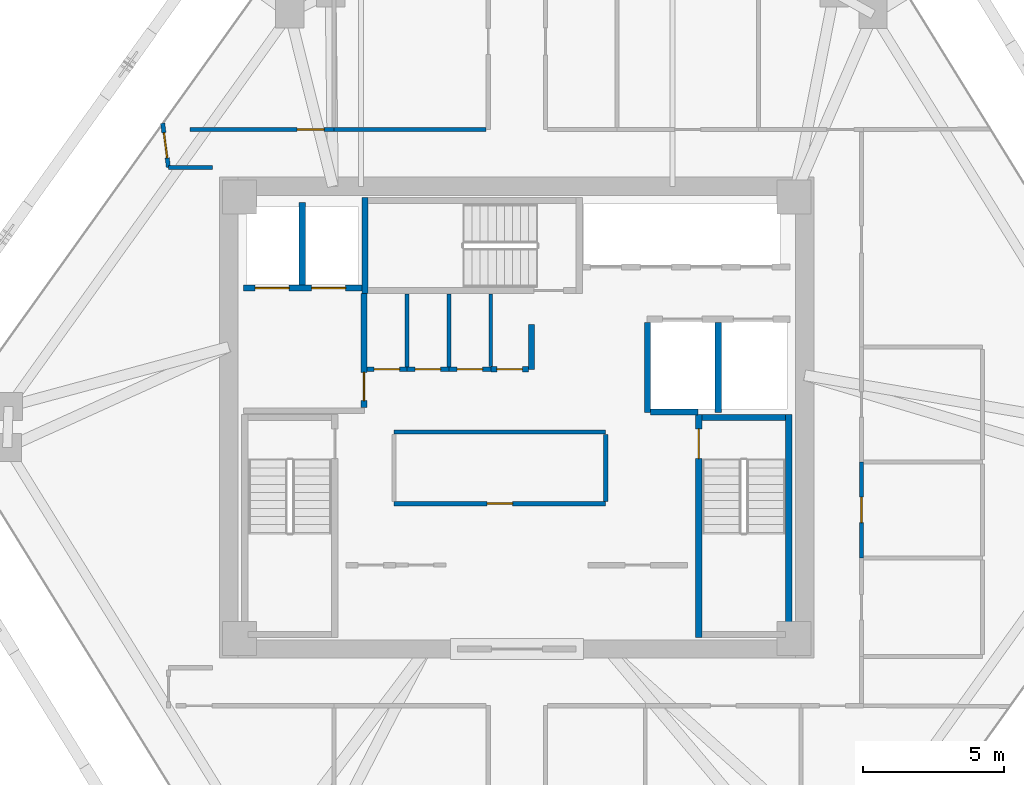
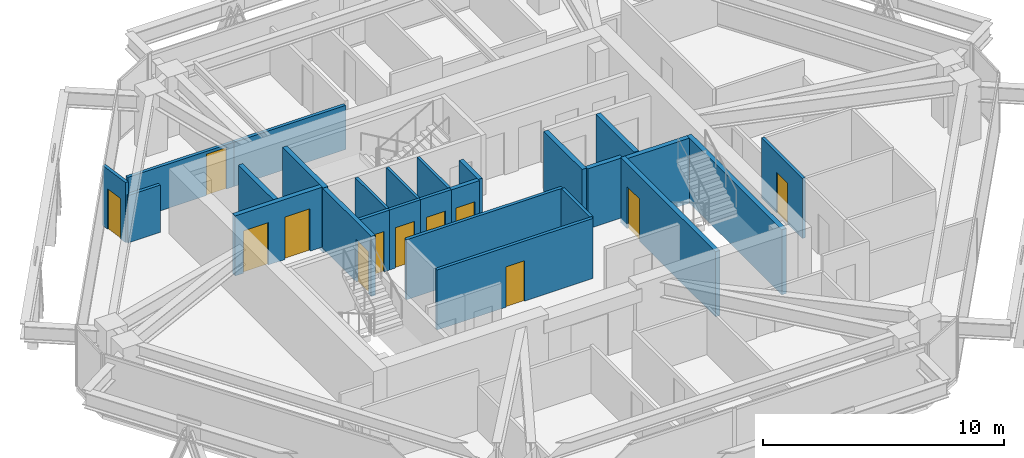
# One storey, part 11 of 14: 26 walls, 12 doors, 12 openings.
"""IFC4 building model written with IfcOpenShell, lengths in metres."""

from ifc_helpers import new_model, si_unit, direction, frame, frame_2d, origin, place, context, subcontext, project, spatial, rectangle, extrude, source, transform, mapped, material, layer, layer_set, type_object, type_shapes, element, fill, save


model = new_model("IFC4")

# Units and contexts
model_context = context("Model", 3, precision=1e-05, world=origin(), true_north=direction((0.0, 1.0)))
body_context = subcontext(model_context, "Body", "Model", "MODEL_VIEW")
ifc_project = project(units=[si_unit("LENGTHUNIT", "METRE"), si_unit("AREAUNIT", "SQUARE_METRE"), si_unit("VOLUMEUNIT", "CUBIC_METRE"), si_unit("PLANEANGLEUNIT", "RADIAN"), si_unit("MASSUNIT", "GRAM", prefix="KILO")], contexts=[model_context])

# Site, building, storey
site_placement = place(None, origin())
site = spatial("IfcSite", under=ifc_project, at=site_placement, CompositionType="ELEMENT")
building_placement = place(site_placement, origin())
building = spatial("IfcBuilding", under=site, at=building_placement, Name="Durnholm Broadcast Tower", CompositionType="ELEMENT")
storey_placement = place(building_placement, frame((0.0, 0.0, 180.39990234375)))
storey = spatial("IfcBuildingStorey", under=building, at=storey_placement, Name="L49", CompositionType="ELEMENT", Elevation=180.39990234375)

# Wall, opening, door
ifc_material_1 = material(Name="Fire-Rated Gypsum Shaftwall", Category="concrete")
ifc_layer_1 = layer(ifc_material_1, 0.199951171875)
ifc_layer_set_1 = layer_set([ifc_layer_1], Name="Fire-Rated Gypsum Shaftwall")
wall_type_1 = type_object("IfcWallType", Name="WALL-LOB-200", PredefinedType="SOLIDWALL", material=ifc_layer_set_1)
wall_1_placement = place(storey_placement, frame((-5.39990234375, 0.35400390625, 0.0), z_axis=(0.0, 0.0, 1.0), x_axis=(0.0, 1.0, 0.0)))
wall_1 = element("IfcWall", 1, at=wall_1_placement, inside=storey, type_object=wall_type_1, Name="L49 Fire Service Access Elevator lobby east fire wall", PredefinedType="SOLIDWALL", context=body_context, shape_type="SweptSolid", body=[
    extrude(rectangle(XDim=4.02587890625, YDim=0.199951171875, at=frame_2d((2.012939453125, 0.0))), origin(), (0.0, 0.0, 1.0), 3.045166015625),
])
opening_1_placement = place(wall_1_placement, frame((0.24609375, 0.0, 0.0)))
opening_1 = element("IfcOpeningElement", 2, at=opening_1_placement, cuts=wall_1, Name="Opening DL-60R", PredefinedType="OPENING", context=body_context, shape_type="SweptSolid", body=[
    extrude(rectangle(XDim=1.0, YDim=2.14990234375, at=frame_2d((0.5, 1.074951171875))), frame((0.0, 0.10986328125, 0.0), z_axis=(0.0, -1.0, 0.0), x_axis=(1.0, 0.0, 0.0)), (0.0, 0.0, 1.0), 0.219970703125),
])
ifc_material_2 = material(Name="Fire-Rated Timber/Steel Door", Category="steel")
ifc_layer_2 = layer(ifc_material_2, 0.050048828125)
ifc_layer_set_2 = layer_set([ifc_layer_2], Name="Fire-Rated Timber/Steel Door")
door_type_1 = type_object("IfcDoorType", Name="DOOR-LOB-FD60-R", OperationType="NOTDEFINED", PredefinedType="DOOR", material=ifc_layer_set_2)
shared_shape_1 = source(origin(), body_context, "Body", "SweptSolid", [
    extrude(rectangle(XDim=1.0, YDim=2.14990234375, at=frame_2d((0.5, 1.074951171875))), frame((0.0, 0.02490234375, 0.0), z_axis=(0.0, -1.0, 0.0), x_axis=(1.0, 0.0, 0.0)), (0.0, 0.0, 1.0), 0.050048828125),
])
type_shapes(door_type_1, [shared_shape_1])
door_1_placement = place(opening_1_placement, origin())
door_1 = element("IfcDoor", 3, at=door_1_placement, inside=storey, type_object=door_type_1, Name="L49 Fire Service Access Elevator lobby smoke door", OperationType="SINGLE_SWING_RIGHT", OverallHeight=2.14990234375, OverallWidth=1.0, PredefinedType="DOOR", context=body_context, shape_type="MappedRepresentation", body=[
    mapped(shared_shape_1, transform((0.0, 0.0, 0.0), x_axis=(1.0, 0.0, 0.0), y_axis=(0.0, 1.0, 0.0), z_axis=(0.0, 0.0, 1.0), scale=1.0)),
])
fill(opening_1, door_1)

# Wall
wall_2_placement = place(storey_placement, frame((0.52001953125, 3.300048828125, 0.0), z_axis=(0.0, 0.0, 1.0), x_axis=(0.0, -1.0, 0.0)))
element("IfcWall", 4, at=wall_2_placement, inside=storey, type_object=wall_type_1, Name="L49 Core Signal Sync Room corridor partition", PredefinedType="SOLIDWALL", context=body_context, shape_type="SweptSolid", body=[
    extrude(rectangle(XDim=1.590087890625, YDim=0.199951171875, at=frame_2d((0.794921875, 0.0))), origin(), (0.0, 0.0, 1.0), 3.045166015625),
])

# Wall, opening, door
wall_3_placement = place(storey_placement, frame((0.416015625, 1.7099609375, 0.0), z_axis=(0.0, 0.0, 1.0), x_axis=(-1.0, 0.0, 0.0)))
wall_3 = element("IfcWall", 5, at=wall_3_placement, inside=storey, type_object=wall_type_1, Name="L49 Core Signal Sync Room corridor partition", PredefinedType="SOLIDWALL", context=body_context, shape_type="SweptSolid", body=[
    extrude(rectangle(XDim=1.3359375, YDim=0.199951171875, at=frame_2d((0.66796875, 0.0))), origin(), (0.0, 0.0, 1.0), 3.045166015625),
])
opening_2_placement = place(wall_3_placement, frame((0.218017578125, 0.0, 0.0)))
opening_2 = element("IfcOpeningElement", 6, at=opening_2_placement, cuts=wall_3, Name="Opening DC-60L", PredefinedType="OPENING", context=body_context, shape_type="SweptSolid", body=[
    extrude(rectangle(XDim=0.89990234375, YDim=2.050048828125, at=frame_2d((0.449951171875, 1.02490234375))), frame((0.0, 0.10986328125, 0.0), z_axis=(0.0, -1.0, 0.0), x_axis=(1.0, 0.0, 0.0)), (0.0, 0.0, 1.0), 0.219970703125),
])
ifc_material_3 = material(Name="Fire-Rated Core Service Door", Category="steel")
ifc_layer_3 = layer(ifc_material_3, 0.050048828125)
ifc_layer_set_3 = layer_set([ifc_layer_3], Name="Fire-Rated Core Service Door")
door_type_2 = type_object("IfcDoorType", Name="DOOR-CORE-FD60-L", OperationType="NOTDEFINED", PredefinedType="DOOR", material=ifc_layer_set_3)
shared_shape_2 = source(origin(), body_context, "Body", "SweptSolid", [
    extrude(rectangle(XDim=0.89990234375, YDim=2.050048828125, at=frame_2d((0.449951171875, 1.02490234375))), frame((0.0, 0.02490234375, 0.0), z_axis=(0.0, -1.0, 0.0), x_axis=(1.0, 0.0, 0.0)), (0.0, 0.0, 1.0), 0.050048828125),
])
type_shapes(door_type_2, [shared_shape_2])
door_2_placement = place(opening_2_placement, origin())
door_2 = element("IfcDoor", 7, at=door_2_placement, inside=storey, type_object=door_type_2, Name="L49 Core Signal Sync Room entrance door", OperationType="SINGLE_SWING_LEFT", OverallHeight=2.050048828125, OverallWidth=0.89990234375, PredefinedType="DOOR", context=body_context, shape_type="MappedRepresentation", body=[
    mapped(shared_shape_2, transform((0.0, 0.0, 0.0), x_axis=(1.0, 0.0, 0.0), y_axis=(0.0, 1.0, 0.0), z_axis=(0.0, 0.0, 1.0), scale=1.0)),
])
fill(opening_2, door_2)

# Walls
ifc_material_4 = material(Name="Gypsum Metal Stud Partition", Category="concrete")
ifc_layer_4 = layer(ifc_material_4, 0.135009765625)
ifc_layer_set_4 = layer_set([ifc_layer_4], Name="Gypsum Metal Stud Partition")
wall_type_2 = type_object("IfcWallType", Name="WALL-PART-135", PredefinedType="PARTITIONING", material=ifc_layer_set_4)
for number, where, z_axis, x_axis, name in (
    (8, (-3.8798828125, 4.375, 0.0), (0.0, 0.0, 1.0), (0.0, -1.0, 0.0), "L49 room dividing partition 5.6"),
    (9, (-2.39990234375, 4.375, 0.0), (0.0, 0.0, 1.0), (0.0, -1.0, 0.0), "L49 room dividing partition 6.7"),
):
    element("IfcWall", number, at=place(storey_placement, frame(where, z_axis=z_axis, x_axis=x_axis)), inside=storey, type_object=wall_type_2, Name=name, PredefinedType="PARTITIONING", context=body_context, shape_type="SweptSolid", body=[
        extrude(rectangle(XDim=2.5859375, YDim=0.135009765625, at=frame_2d((1.29296875, 0.0))), origin(), (0.0, 0.0, 1.0), 3.045166015625),
    ])
wall_4_placement = place(storey_placement, frame((-0.919921875, 4.375, 0.0), z_axis=(0.0, 0.0, 1.0), x_axis=(0.0, -1.0, 0.0)))
element("IfcWall", 10, at=wall_4_placement, inside=storey, type_object=wall_type_2, Name="L49 room dividing partition 7.8", PredefinedType="PARTITIONING", context=body_context, shape_type="SweptSolid", body=[
    extrude(rectangle(XDim=2.56103515625, YDim=0.135009765625, at=frame_2d((1.280517578125, 0.0))), origin(), (0.0, 0.0, 1.0), 3.045166015625),
])

# Wall, opening, door
ifc_material_5 = material(Name="Acoustic Gypsum Stud Partition", Category="concrete")
ifc_layer_5 = layer(ifc_material_5, 0.14990234375)
ifc_layer_set_5 = layer_set([ifc_layer_5], Name="Acoustic Gypsum Stud Partition")
wall_type_3 = type_object("IfcWallType", Name="WALL-PART-150", PredefinedType="PARTITIONING", material=ifc_layer_set_5)
wall_5_placement = place(storey_placement, frame((3.139892578125, -3.0400390625, 0.0), z_axis=(0.0, 0.0, 1.0), x_axis=(-1.0, 0.0, 0.0)))
wall_5 = element("IfcWall", 11, at=wall_5_placement, inside=storey, type_object=wall_type_3, Name="L49 Broadcast Equipment Pantry corridor partition", PredefinedType="PARTITIONING", context=body_context, shape_type="SweptSolid", body=[
    extrude(rectangle(XDim=7.47998046875, YDim=0.14990234375, at=frame_2d((3.739990234375, 0.0))), origin(), (0.0, 0.0, 1.0), 3.045166015625),
])
opening_3_placement = place(wall_5_placement, frame((3.2900390625, 0.0, 0.0)))
opening_3 = element("IfcOpeningElement", 12, at=opening_3_placement, cuts=wall_5, Name="Opening DC-60L", PredefinedType="OPENING", context=body_context, shape_type="SweptSolid", body=[
    extrude(rectangle(XDim=0.89990234375, YDim=2.050048828125, at=frame_2d((0.449951171875, 1.02490234375))), frame((0.0, 0.0849609375, 0.0), z_axis=(0.0, -1.0, 0.0), x_axis=(1.0, 0.0, 0.0)), (0.0, 0.0, 1.0), 0.169921875),
])
door_3_placement = place(opening_3_placement, origin())
door_3 = element("IfcDoor", 13, at=door_3_placement, inside=storey, type_object=door_type_2, Name="L49 Broadcast Equipment Pantry entrance door", OperationType="SINGLE_SWING_LEFT", OverallHeight=2.050048828125, OverallWidth=0.89990234375, PredefinedType="DOOR", context=body_context, shape_type="MappedRepresentation", body=[
    mapped(shared_shape_2, transform((0.0, 0.0, 0.0), x_axis=(1.0, 0.0, 0.0), y_axis=(0.0, 1.0, 0.0), z_axis=(0.0, 0.0, 1.0), scale=1.0)),
])
fill(opening_3, door_3)

# Walls
wall_6_placement = place(storey_placement, frame((-4.340087890625, -0.510009765625, 0.0), z_axis=(0.0, 0.0, 1.0), x_axis=(1.0, 0.0, 0.0)))
element("IfcWall", 14, at=wall_6_placement, inside=storey, type_object=wall_type_3, Name="L49 Broadcast Equipment Pantry corridor partition", PredefinedType="PARTITIONING", context=body_context, shape_type="SweptSolid", body=[
    extrude(rectangle(XDim=7.47998046875, YDim=0.14990234375, at=frame_2d((3.739990234375, 0.0))), origin(), (0.0, 0.0, 1.0), 3.045166015625),
])
wall_7_placement = place(storey_placement, frame((3.139892578125, -0.589111328125, 0.0), z_axis=(0.0, 0.0, 1.0), x_axis=(0.0, -1.0, 0.0)))
element("IfcWall", 15, at=wall_7_placement, inside=storey, type_object=wall_type_3, Name="L49 Broadcast Equipment Pantry corridor partition", PredefinedType="PARTITIONING", context=body_context, shape_type="SweptSolid", body=[
    extrude(rectangle(XDim=2.371826171875, YDim=0.14990234375, at=frame_2d((1.18603515625, 0.0))), origin(), (0.0, 0.0, 1.0), 3.045166015625),
])

# Wall, opening, door
wall_8_placement = place(storey_placement, frame((-3.8798828125, 1.7099609375, 0.0), z_axis=(0.0, 0.0, 1.0), x_axis=(-1.0, 0.0, 0.0)))
wall_8 = element("IfcWall", 16, at=wall_8_placement, inside=storey, type_object=wall_type_3, Name="L49 Core First Aid Store corridor partition", PredefinedType="PARTITIONING", context=body_context, shape_type="SweptSolid", body=[
    extrude(rectangle(XDim=1.416015625, YDim=0.14990234375, at=frame_2d((0.7080078125, 0.0))), origin(), (0.0, 0.0, 1.0), 3.045166015625),
])
opening_4_placement = place(wall_8_placement, frame((0.258056640625, 0.0, 0.0)))
opening_4 = element("IfcOpeningElement", 17, at=opening_4_placement, cuts=wall_8, Name="Opening DC-60R", PredefinedType="OPENING", context=body_context, shape_type="SweptSolid", body=[
    extrude(rectangle(XDim=0.89990234375, YDim=2.050048828125, at=frame_2d((0.449951171875, 1.02490234375))), frame((0.0, 0.0849609375, 0.0), z_axis=(0.0, -1.0, 0.0), x_axis=(1.0, 0.0, 0.0)), (0.0, 0.0, 1.0), 0.169921875),
])
ifc_layer_6 = layer(ifc_material_3, 0.050048828125)
ifc_layer_set_6 = layer_set([ifc_layer_6], Name="Fire-Rated Core Service Door")
door_type_3 = type_object("IfcDoorType", Name="DOOR-CORE-FD60-R", OperationType="NOTDEFINED", PredefinedType="DOOR", material=ifc_layer_set_6)
shared_shape_3 = source(origin(), body_context, "Body", "SweptSolid", [
    extrude(rectangle(XDim=0.89990234375, YDim=2.050048828125, at=frame_2d((0.449951171875, 1.02490234375))), frame((0.0, 0.02490234375, 0.0), z_axis=(0.0, -1.0, 0.0), x_axis=(1.0, 0.0, 0.0)), (0.0, 0.0, 1.0), 0.050048828125),
])
type_shapes(door_type_3, [shared_shape_3])
door_4_placement = place(opening_4_placement, origin())
door_4 = element("IfcDoor", 18, at=door_4_placement, inside=storey, type_object=door_type_3, Name="L49 Core First Aid Store entrance door", OperationType="SINGLE_SWING_RIGHT", OverallHeight=2.050048828125, OverallWidth=0.89990234375, PredefinedType="DOOR", context=body_context, shape_type="MappedRepresentation", body=[
    mapped(shared_shape_3, transform((0.0, 0.0, 0.0), x_axis=(1.0, 0.0, 0.0), y_axis=(0.0, 1.0, 0.0), z_axis=(0.0, 0.0, 1.0), scale=1.0)),
])
fill(opening_4, door_4)

wall_9_placement = place(storey_placement, frame((-2.39990234375, 1.7099609375, 0.0), z_axis=(0.0, 0.0, 1.0), x_axis=(-1.0, 0.0, 0.0)))
wall_9 = element("IfcWall", 19, at=wall_9_placement, inside=storey, type_object=wall_type_3, Name="L49 Core Linen Supply Closet corridor partition", PredefinedType="PARTITIONING", context=body_context, shape_type="SweptSolid", body=[
    extrude(rectangle(XDim=1.47998046875, YDim=0.14990234375, at=frame_2d((0.739990234375, 0.0))), origin(), (0.0, 0.0, 1.0), 3.045166015625),
])
opening_5_placement = place(wall_9_placement, frame((0.2900390625, 0.0, 0.0)))
opening_5 = element("IfcOpeningElement", 20, at=opening_5_placement, cuts=wall_9, Name="Opening DC-60L", PredefinedType="OPENING", context=body_context, shape_type="SweptSolid", body=[
    extrude(rectangle(XDim=0.89990234375, YDim=2.050048828125, at=frame_2d((0.449951171875, 1.02490234375))), frame((0.0, 0.0849609375, 0.0), z_axis=(0.0, -1.0, 0.0), x_axis=(1.0, 0.0, 0.0)), (0.0, 0.0, 1.0), 0.169921875),
])
door_5_placement = place(opening_5_placement, origin())
door_5 = element("IfcDoor", 21, at=door_5_placement, inside=storey, type_object=door_type_2, Name="L49 Core Linen Supply Closet entrance door", OperationType="SINGLE_SWING_LEFT", OverallHeight=2.050048828125, OverallWidth=0.89990234375, PredefinedType="DOOR", context=body_context, shape_type="MappedRepresentation", body=[
    mapped(shared_shape_2, transform((0.0, 0.0, 0.0), x_axis=(1.0, 0.0, 0.0), y_axis=(0.0, 1.0, 0.0), z_axis=(0.0, 0.0, 1.0), scale=1.0)),
])
fill(opening_5, door_5)

wall_10_placement = place(storey_placement, frame((-0.919921875, 1.7099609375, 0.0), z_axis=(0.0, 0.0, 1.0), x_axis=(-1.0, 0.0, 0.0)))
wall_10 = element("IfcWall", 22, at=wall_10_placement, inside=storey, type_object=wall_type_3, Name="L49 Core Safety Gear Store corridor partition", PredefinedType="PARTITIONING", context=body_context, shape_type="SweptSolid", body=[
    extrude(rectangle(XDim=1.47998046875, YDim=0.14990234375, at=frame_2d((0.739990234375, 0.0))), origin(), (0.0, 0.0, 1.0), 3.045166015625),
])
opening_6_placement = place(wall_10_placement, frame((0.2900390625, 0.0, 0.0)))
opening_6 = element("IfcOpeningElement", 23, at=opening_6_placement, cuts=wall_10, Name="Opening DC-60R", PredefinedType="OPENING", context=body_context, shape_type="SweptSolid", body=[
    extrude(rectangle(XDim=0.89990234375, YDim=2.050048828125, at=frame_2d((0.449951171875, 1.02490234375))), frame((0.0, 0.0849609375, 0.0), z_axis=(0.0, -1.0, 0.0), x_axis=(1.0, 0.0, 0.0)), (0.0, 0.0, 1.0), 0.169921875),
])
door_6_placement = place(opening_6_placement, origin())
door_6 = element("IfcDoor", 24, at=door_6_placement, inside=storey, type_object=door_type_3, Name="L49 Core Safety Gear Store entrance door", OperationType="SINGLE_SWING_RIGHT", OverallHeight=2.050048828125, OverallWidth=0.89990234375, PredefinedType="DOOR", context=body_context, shape_type="MappedRepresentation", body=[
    mapped(shared_shape_3, transform((0.0, 0.0, 0.0), x_axis=(1.0, 0.0, 0.0), y_axis=(0.0, 1.0, 0.0), z_axis=(0.0, 0.0, 1.0), scale=1.0)),
])
fill(opening_6, door_6)

wall_11_placement = place(storey_placement, frame((-6.4599609375, 10.179931640625, 0.0), z_axis=(0.0, 0.0, 1.0), x_axis=(-1.0, 0.0, 0.0)))
wall_11 = element("IfcWall", 25, at=wall_11_placement, inside=storey, type_object=wall_type_3, Name="L49 Documentary Office 1 corridor partition", PredefinedType="PARTITIONING", context=body_context, shape_type="SweptSolid", body=[
    extrude(rectangle(XDim=5.080078125, YDim=0.14990234375, at=frame_2d((2.5400390625, 0.0))), origin(), (0.0, 0.0, 1.0), 2.241943359375),
])
opening_7_placement = place(wall_11_placement, frame((0.35009765625, 0.0, 0.0)))
opening_7 = element("IfcOpeningElement", 26, at=opening_7_placement, cuts=wall_11, Name="Opening DR-95L", PredefinedType="OPENING", context=body_context, shape_type="SweptSolid", body=[
    extrude(rectangle(XDim=0.949951171875, YDim=2.10009765625, at=frame_2d((0.47509765625, 1.050048828125))), frame((0.0, 0.0849609375, 0.0), z_axis=(0.0, -1.0, 0.0), x_axis=(1.0, 0.0, 0.0)), (0.0, 0.0, 1.0), 0.169921875),
])
ifc_material_6 = material(Name="Acoustic Oak Veneer Timber Door", Category="wood")
ifc_layer_7 = layer(ifc_material_6, 0.050048828125)
ifc_layer_set_7 = layer_set([ifc_layer_7], Name="Acoustic Oak Veneer Timber Door")
door_type_4 = type_object("IfcDoorType", Name="DOOR-RM-950L", OperationType="NOTDEFINED", PredefinedType="DOOR", material=ifc_layer_set_7)
shared_shape_4 = source(origin(), body_context, "Body", "SweptSolid", [
    extrude(rectangle(XDim=0.949951171875, YDim=2.10009765625, at=frame_2d((0.47509765625, 1.050048828125))), frame((0.0, 0.02490234375, 0.0), z_axis=(0.0, -1.0, 0.0), x_axis=(1.0, 0.0, 0.0)), (0.0, 0.0, 1.0), 0.050048828125),
])
type_shapes(door_type_4, [shared_shape_4])
door_7_placement = place(opening_7_placement, origin())
door_7 = element("IfcDoor", 27, at=door_7_placement, inside=storey, type_object=door_type_4, Name="L49 Documentary Office 1 entrance door", OperationType="SINGLE_SWING_LEFT", OverallHeight=2.10009765625, OverallWidth=0.949951171875, PredefinedType="DOOR", context=body_context, shape_type="MappedRepresentation", body=[
    mapped(shared_shape_4, transform((0.0, 0.0, 0.0), x_axis=(1.0, 0.0, 0.0), y_axis=(0.0, 1.0, 0.0), z_axis=(0.0, 0.0, 1.0), scale=1.0)),
])
fill(opening_7, door_7)

# Walls
wall_12_placement = place(storey_placement, frame((-1.089111328125, 10.179931640625, 0.0), z_axis=(0.0, 0.0, 1.0), x_axis=(-1.0, 0.0, 0.0)))
element("IfcWall", 28, at=wall_12_placement, inside=storey, type_object=wall_type_3, Name="L49 Rough-Cut Office 1 corridor partition", PredefinedType="PARTITIONING", context=body_context, shape_type="SweptSolid", body=[
    extrude(rectangle(XDim=5.370849609375, YDim=0.14990234375, at=frame_2d((2.685546875, 0.0))), origin(), (0.0, 0.0, 1.0), 2.241943359375),
])
wall_13_placement = place(storey_placement, frame((-12.31005859375, 8.840087890625, 0.0), z_axis=(0.0, 0.0, 1.0), x_axis=(1.0, 0.0, 0.0)))
element("IfcWall", 29, at=wall_13_placement, inside=storey, type_object=wall_type_3, Name="L49 Rough-Cut Office 2 corridor partition", PredefinedType="PARTITIONING", context=body_context, shape_type="SweptSolid", body=[
    extrude(rectangle(XDim=1.550048828125, YDim=0.14990234375, at=frame_2d((0.77490234375, 0.0))), origin(), (0.0, 0.0, 1.0), 2.39892578125),
])

# Wall, opening, door
wall_14_placement = place(storey_placement, frame((-12.514404296875, 10.40625, 0.0), z_axis=(0.0, 0.0, 1.0), x_axis=(0.129378833178, -0.991595238757, 0.0)))
wall_14 = element("IfcWall", 30, at=wall_14_placement, inside=storey, type_object=wall_type_3, Name="L49 Rough-Cut Office 2 corridor partition", PredefinedType="PARTITIONING", context=body_context, shape_type="SweptSolid", body=[
    extrude(rectangle(XDim=1.579345703125, YDim=0.14990234375, at=frame_2d((0.78955078125, 0.0))), origin(), (0.0, 0.0, 1.0), 3.045166015625),
])
opening_8_placement = place(wall_14_placement, frame((0.33984375, 0.0, 0.0)))
opening_8 = element("IfcOpeningElement", 31, at=opening_8_placement, cuts=wall_14, Name="Opening DW-90L", PredefinedType="OPENING", context=body_context, shape_type="SweptSolid", body=[
    extrude(rectangle(XDim=0.89990234375, YDim=2.050048828125, at=frame_2d((0.449951171875, 1.02490234375))), frame((0.0, 0.0849609375, 0.0), z_axis=(0.0, -1.0, 0.0), x_axis=(1.0, 0.0, 0.0)), (0.0, 0.0, 1.0), 0.169921875),
])
ifc_material_7 = material(Name="Laminate Restroom Door", Category="steel")
ifc_layer_8 = layer(ifc_material_7, 0.050048828125)
ifc_layer_set_8 = layer_set([ifc_layer_8], Name="Laminate Restroom Door")
door_type_5 = type_object("IfcDoorType", Name="DOOR-WC-900L", OperationType="NOTDEFINED", PredefinedType="DOOR", material=ifc_layer_set_8)
shared_shape_5 = source(origin(), body_context, "Body", "SweptSolid", [
    extrude(rectangle(XDim=0.89990234375, YDim=2.050048828125, at=frame_2d((0.449951171875, 1.02490234375))), frame((0.0, 0.02490234375, 0.0), z_axis=(0.0, -1.0, 0.0), x_axis=(1.0, 0.0, 0.0)), (0.0, 0.0, 1.0), 0.050048828125),
])
type_shapes(door_type_5, [shared_shape_5])
door_8_placement = place(opening_8_placement, origin())
door_8 = element("IfcDoor", 32, at=door_8_placement, inside=storey, type_object=door_type_5, Name="L49 Rough-Cut Office 2 entrance door", OperationType="SINGLE_SWING_LEFT", OverallHeight=2.050048828125, OverallWidth=0.89990234375, PredefinedType="DOOR", context=body_context, shape_type="MappedRepresentation", body=[
    mapped(shared_shape_5, transform((0.0, 0.0, 0.0), x_axis=(1.0, 0.0, 0.0), y_axis=(0.0, 1.0, 0.0), z_axis=(0.0, 0.0, 1.0), scale=1.0)),
])
fill(opening_8, door_8)

# Wall, openings, doors
ifc_material_8 = material(Name="Concrete Blockwork C30/37", Category="masonry")
ifc_layer_9 = layer(ifc_material_8, 0.219970703125)
ifc_layer_set_9 = layer_set([ifc_layer_9], Name="Concrete Blockwork C30/37")
wall_type_4 = type_object("IfcWallType", Name="WALL-SHAFT-220", PredefinedType="SOLIDWALL", material=ifc_layer_set_9)
wall_15_placement = place(storey_placement, frame((-9.64990234375, 4.580078125, 0.0), z_axis=(0.0, 0.0, 1.0), x_axis=(1.0, 0.0, 0.0)))
wall_15 = element("IfcWall", 33, at=wall_15_placement, inside=storey, type_object=wall_type_4, Name="L49 FSAE hoistway front fire wall", PredefinedType="SOLIDWALL", context=body_context, shape_type="SweptSolid", body=[
    extrude(rectangle(XDim=4.1748046875, YDim=0.219970703125, at=frame_2d((2.08740234375, 0.0))), origin(), (0.0, 0.0, 1.0), 3.045166015625),
])
opening_9_placement = place(wall_15_placement, frame((0.39990234375, 0.0, 0.0)))
opening_9 = element("IfcOpeningElement", 34, at=opening_9_placement, cuts=wall_15, Name="Opening LD-FSAE-2", PredefinedType="OPENING", context=body_context, shape_type="SweptSolid", body=[
    extrude(rectangle(XDim=1.199951171875, YDim=2.14990234375, at=frame_2d((0.60009765625, 1.074951171875))), frame((0.0, 0.1201171875, 0.0), z_axis=(0.0, -1.0, 0.0), x_axis=(1.0, 0.0, 0.0)), (0.0, 0.0, 1.0), 0.239990234375),
])
opening_10_placement = place(wall_15_placement, frame((2.39990234375, 0.0, 0.0)))
opening_10 = element("IfcOpeningElement", 35, at=opening_10_placement, cuts=wall_15, Name="Opening LD-FSAE-1", PredefinedType="OPENING", context=body_context, shape_type="SweptSolid", body=[
    extrude(rectangle(XDim=1.199951171875, YDim=2.14990234375, at=frame_2d((0.60009765625, 1.074951171875))), frame((0.0, 0.1201171875, 0.0), z_axis=(0.0, -1.0, 0.0), x_axis=(1.0, 0.0, 0.0)), (0.0, 0.0, 1.0), 0.239990234375),
])
ifc_material_9 = material(Name="Fire Service Access Sliding Landing Door", Category="steel")
ifc_layer_10 = layer(ifc_material_9, 0.050048828125)
ifc_layer_set_10 = layer_set([ifc_layer_10], Name="Fire Service Access Sliding Landing Door")
door_type_6 = type_object("IfcDoorType", Name="DOOR-LIFT-FSAE", OperationType="DOUBLE_DOOR_SLIDING", PredefinedType="DOOR", material=ifc_layer_set_10)
shared_shape_6 = source(origin(), body_context, "Body", "SweptSolid", [
    extrude(rectangle(XDim=1.199951171875, YDim=2.14990234375, at=frame_2d((0.60009765625, 1.074951171875))), frame((0.0, 0.02490234375, 0.0), z_axis=(0.0, -1.0, 0.0), x_axis=(1.0, 0.0, 0.0)), (0.0, 0.0, 1.0), 0.050048828125),
])
type_shapes(door_type_6, [shared_shape_6])
door_9_placement = place(opening_9_placement, origin())
door_9 = element("IfcDoor", 36, at=door_9_placement, inside=storey, type_object=door_type_6, Name="L49 Fire Service Access Elevator FSAE-2 sliding landing door", OperationType="DOUBLE_DOOR_SLIDING", OverallHeight=2.14990234375, OverallWidth=1.199951171875, PredefinedType="DOOR", context=body_context, shape_type="MappedRepresentation", body=[
    mapped(shared_shape_6, transform((0.0, 0.0, 0.0), x_axis=(1.0, 0.0, 0.0), y_axis=(0.0, 1.0, 0.0), z_axis=(0.0, 0.0, 1.0), scale=1.0)),
])
fill(opening_9, door_9)
door_10_placement = place(opening_10_placement, origin())
door_10 = element("IfcDoor", 37, at=door_10_placement, inside=storey, type_object=door_type_6, Name="L49 Fire Service Access Elevator FSAE-1 sliding landing door", OperationType="DOUBLE_DOOR_SLIDING", OverallHeight=2.14990234375, OverallWidth=1.199951171875, PredefinedType="DOOR", context=body_context, shape_type="MappedRepresentation", body=[
    mapped(shared_shape_6, transform((0.0, 0.0, 0.0), x_axis=(1.0, 0.0, 0.0), y_axis=(0.0, 1.0, 0.0), z_axis=(0.0, 0.0, 1.0), scale=1.0)),
])
fill(opening_10, door_10)

# Walls
wall_16_placement = place(storey_placement, frame((-7.580078125, 4.694091796875, 0.0), z_axis=(0.0, 0.0, 1.0), x_axis=(0.0, 1.0, 0.0)))
element("IfcWall", 38, at=wall_16_placement, inside=storey, type_object=wall_type_4, Name="L49 FSAE shaft divider wall", PredefinedType="SOLIDWALL", context=body_context, shape_type="SweptSolid", body=[
    extrude(rectangle(XDim=2.906005859375, YDim=0.219970703125, at=frame_2d((1.453125, 0.0))), origin(), (0.0, 0.0, 1.0), 3.045166015625),
])
for number, where, z_axis, x_axis, name in (
    (39, (4.6201171875, 0.179931640625, 0.0), (0.0, 0.0, 1.0), (0.0, 1.0, 0.0), "L49 freight service lift SVL-2 west wall"),
    (40, (7.1201171875, 0.179931640625, 0.0), (0.0, 0.0, 1.0), (0.0, 1.0, 0.0), "L49 freight service lifts divider wall"),
):
    element("IfcWall", number, at=place(storey_placement, frame(where, z_axis=z_axis, x_axis=x_axis)), inside=storey, type_object=wall_type_4, Name=name, PredefinedType="SOLIDWALL", context=body_context, shape_type="SweptSolid", body=[
        extrude(rectangle(XDim=3.18603515625, YDim=0.219970703125, at=frame_2d((1.593017578125, 0.0))), origin(), (0.0, 0.0, 1.0), 3.045166015625),
    ])
wall_17_placement = place(storey_placement, frame((4.73388671875, 0.199951171875, 0.0), z_axis=(0.0, 0.0, 1.0), x_axis=(1.0, 0.0, 0.0)))
element("IfcWall", 41, at=wall_17_placement, inside=storey, type_object=wall_type_4, Name="L49 freight service lift SVL-2 south wall", PredefinedType="SOLIDWALL", context=body_context, shape_type="SweptSolid", body=[
    extrude(rectangle(XDim=1.666015625, YDim=0.219970703125, at=frame_2d((0.8330078125, 0.0))), origin(), (0.0, 0.0, 1.0), 3.045166015625),
])
ifc_material_10 = material(Name="Concrete C50/60", Category="concrete")
ifc_layer_11 = layer(ifc_material_10, 0.219970703125)
ifc_layer_set_11 = layer_set([ifc_layer_11], Name="Concrete C50/60")
wall_type_5 = type_object("IfcWallType", Name="WALL-SW-220", PredefinedType="SHEAR", material=ifc_layer_set_11)
wall_18_placement = place(storey_placement, frame((9.610107421875, -7.77001953125, -0.239990234375), z_axis=(0.0, 0.0, 1.0), x_axis=(0.0, 1.0, 0.0)))
element("IfcWall", 42, at=wall_18_placement, inside=storey, type_object=wall_type_5, Name="L49 stair ST-2 structural shaft wall E", PredefinedType="SHEAR", context=body_context, shape_type="SweptSolid", body=[
    extrude(rectangle(XDim=7.89013671875, YDim=0.219970703125, at=frame_2d((3.945068359375, 0.0))), origin(), (0.0, 0.0, 1.0), 3.300048828125),
])

# Wall, opening, door
wall_19_placement = place(storey_placement, frame((6.429931640625, 0.1201171875, -0.239990234375), z_axis=(0.0, 0.0, 1.0), x_axis=(0.0, -1.0, 0.0)))
wall_19 = element("IfcWall", 43, at=wall_19_placement, inside=storey, type_object=wall_type_5, Name="L49 stair ST-2 structural shaft wall W", PredefinedType="SHEAR", context=body_context, shape_type="SweptSolid", body=[
    extrude(rectangle(XDim=7.89013671875, YDim=0.219970703125, at=frame_2d((3.945068359375, 0.0))), origin(), (0.0, 0.0, 1.0), 3.300048828125),
])
opening_11_placement = place(wall_19_placement, frame((0.52001953125, 0.0, 0.0)))
opening_11 = element("IfcOpeningElement", 44, at=opening_11_placement, cuts=wall_19, Name="Opening DS-90R", PredefinedType="OPENING", context=body_context, shape_type="SweptSolid", body=[
    extrude(rectangle(XDim=1.050048828125, YDim=2.14990234375, at=frame_2d((0.52490234375, 1.074951171875))), frame((0.0, 0.1201171875, 0.0), z_axis=(0.0, -1.0, 0.0), x_axis=(1.0, 0.0, 0.0)), (0.0, 0.0, 1.0), 0.239990234375),
])
ifc_material_11 = material(Name="Fire-Rated Steel Door", Category="steel")
ifc_layer_12 = layer(ifc_material_11, 0.050048828125)
ifc_layer_set_12 = layer_set([ifc_layer_12], Name="Fire-Rated Steel Door")
door_type_7 = type_object("IfcDoorType", Name="DOOR-ST-FD90-R", OperationType="NOTDEFINED", PredefinedType="DOOR", material=ifc_layer_set_12)
shared_shape_7 = source(origin(), body_context, "Body", "SweptSolid", [
    extrude(rectangle(XDim=1.050048828125, YDim=2.14990234375, at=frame_2d((0.52490234375, 1.074951171875))), frame((0.0, 0.02490234375, 0.0), z_axis=(0.0, -1.0, 0.0), x_axis=(1.0, 0.0, 0.0)), (0.0, 0.0, 1.0), 0.050048828125),
])
type_shapes(door_type_7, [shared_shape_7])
door_11_placement = place(opening_11_placement, origin())
door_11 = element("IfcDoor", 45, at=door_11_placement, inside=storey, type_object=door_type_7, Name="L49 exit stair ST-2 fire door", OperationType="SINGLE_SWING_RIGHT", OverallHeight=2.14990234375, OverallWidth=1.050048828125, PredefinedType="DOOR", context=body_context, shape_type="MappedRepresentation", body=[
    mapped(shared_shape_7, transform((0.0, 0.0, 0.0), x_axis=(1.0, 0.0, 0.0), y_axis=(0.0, 1.0, 0.0), z_axis=(0.0, 0.0, 1.0), scale=1.0)),
])
fill(opening_11, door_11)

# Walls
wall_20_placement = place(storey_placement, frame((9.5, 0.010009765625, -0.239990234375), z_axis=(0.0, 0.0, 1.0), x_axis=(-1.0, 0.0, 0.0)))
element("IfcWall", 46, at=wall_20_placement, inside=storey, type_object=wall_type_5, Name="L49 stair ST-2 structural shaft wall N", PredefinedType="SHEAR", context=body_context, shape_type="SweptSolid", body=[
    extrude(rectangle(XDim=2.9599609375, YDim=0.219970703125, at=frame_2d((1.47998046875, 0.0))), origin(), (0.0, 0.0, 1.0), 3.300048828125),
])
wall_21_placement = place(storey_placement, frame((-5.360107421875, 7.780029296875, -0.239990234375), z_axis=(0.0, 0.0, 1.0), x_axis=(0.0, -1.0, 0.0)))
element("IfcWall", 47, at=wall_21_placement, inside=storey, type_object=wall_type_5, Name="L49 stair ST-3 structural shaft wall W", PredefinedType="SHEAR", context=body_context, shape_type="SweptSolid", body=[
    extrude(rectangle(XDim=3.400146484375, YDim=0.219970703125, at=frame_2d((1.7001953125, 0.0))), origin(), (0.0, 0.0, 1.0), 3.300048828125),
])

# Wall, opening, door
ifc_material_12 = material(Name="Moisture-Resistant Tile Partition", Category="concrete")
ifc_layer_13 = layer(ifc_material_12, 0.139892578125)
ifc_layer_set_13 = layer_set([ifc_layer_13], Name="Moisture-Resistant Tile Partition")
wall_type_6 = type_object("IfcWallType", Name="WALL-WC-140", PredefinedType="PARTITIONING", material=ifc_layer_set_13)
wall_22_placement = place(storey_placement, frame((12.179931640625, -4.9599609375, 0.0), z_axis=(0.0, 0.0, 1.0), x_axis=(0.0, 1.0, 0.0)))
wall_22 = element("IfcWall", 48, at=wall_22_placement, inside=storey, type_object=wall_type_6, Name="L49 Women's Restroom corridor partition", PredefinedType="PARTITIONING", context=body_context, shape_type="SweptSolid", body=[
    extrude(rectangle(XDim=3.39990234375, YDim=0.139892578125, at=frame_2d((1.699951171875, 0.0))), origin(), (0.0, 0.0, 1.0), 3.045166015625),
])
opening_12_placement = place(wall_22_placement, frame((1.25, 0.0, 0.0)))
opening_12 = element("IfcOpeningElement", 49, at=opening_12_placement, cuts=wall_22, Name="Opening DW-90L", PredefinedType="OPENING", context=body_context, shape_type="SweptSolid", body=[
    extrude(rectangle(XDim=0.89990234375, YDim=2.050048828125, at=frame_2d((0.449951171875, 1.02490234375))), frame((0.0, 0.080078125, 0.0), z_axis=(0.0, -1.0, 0.0), x_axis=(1.0, 0.0, 0.0)), (0.0, 0.0, 1.0), 0.159912109375),
])
door_12_placement = place(opening_12_placement, origin())
door_12 = element("IfcDoor", 50, at=door_12_placement, inside=storey, type_object=door_type_5, Name="L49 Women's Restroom entrance door", OperationType="SINGLE_SWING_LEFT", OverallHeight=2.050048828125, OverallWidth=0.89990234375, PredefinedType="DOOR", context=body_context, shape_type="MappedRepresentation", body=[
    mapped(shared_shape_5, transform((0.0, 0.0, 0.0), x_axis=(1.0, 0.0, 0.0), y_axis=(0.0, 1.0, 0.0), z_axis=(0.0, 0.0, 1.0), scale=1.0)),
])
fill(opening_12, door_12)

save(model, "model.ifc")
